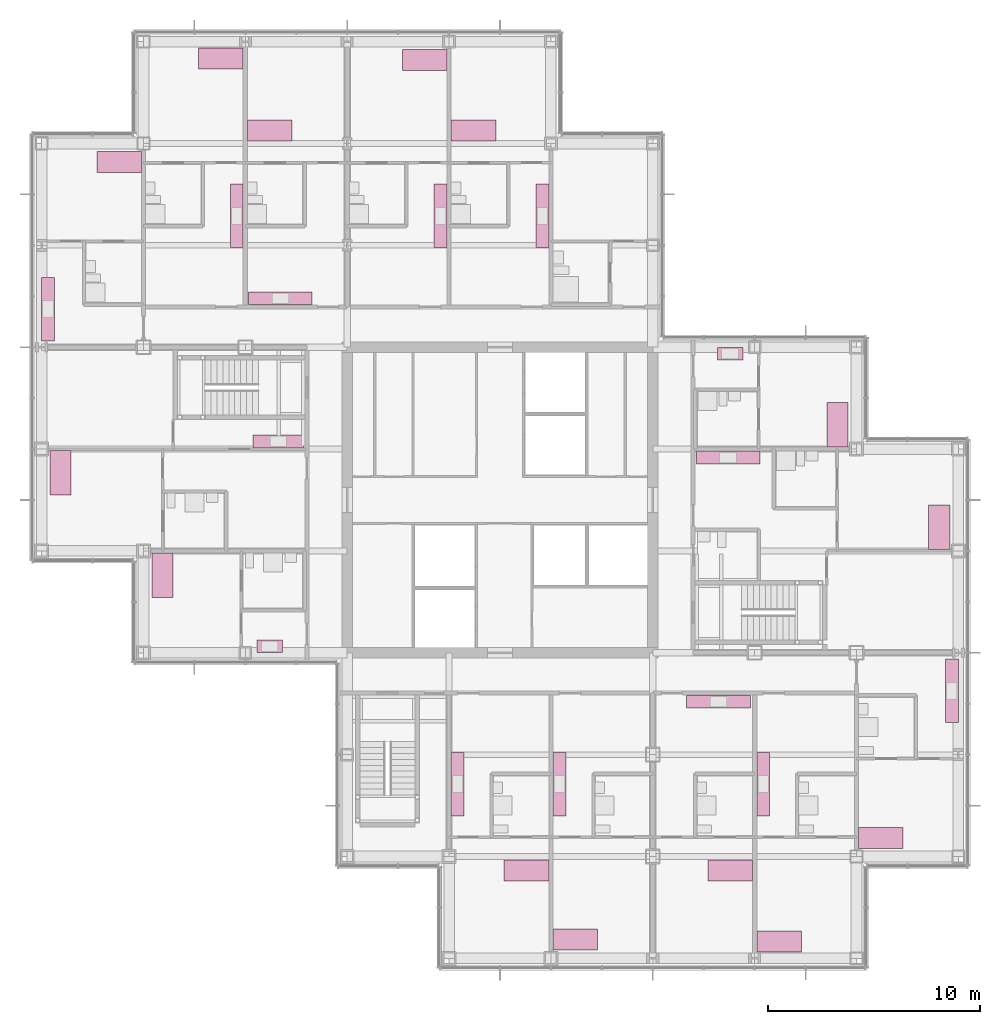
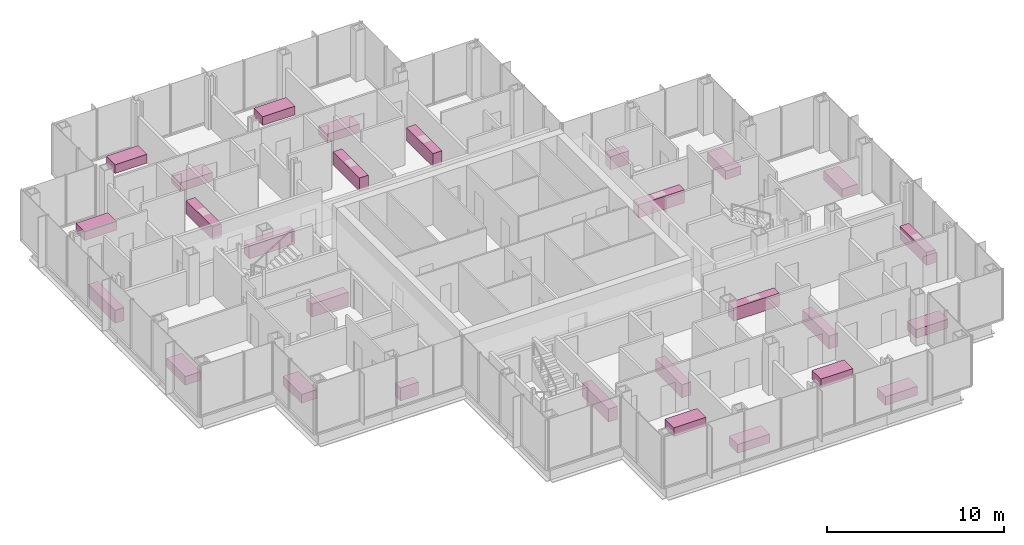
# One storey, part 20 of 20: 28 furniture elements.
"""IFC4 building model written with IfcOpenShell, lengths in metres."""

from ifc_helpers import new_model, si_unit, direction, frame, origin, origin_2d, place, context, subcontext, project, spatial, rectangle, extrude, material, type_object, element, save


model = new_model("IFC4")

# Units and contexts
model_context = context("Model", 3, precision=1e-05, world=origin(), true_north=direction((0.0, 1.0)))
body_context = subcontext(model_context, "Body", "Model", "MODEL_VIEW")
ifc_project = project(units=[si_unit("LENGTHUNIT", "METRE"), si_unit("AREAUNIT", "SQUARE_METRE"), si_unit("VOLUMEUNIT", "CUBIC_METRE"), si_unit("PLANEANGLEUNIT", "RADIAN"), si_unit("MASSUNIT", "GRAM", prefix="KILO")], contexts=[model_context])

# Site, building, storey
site_placement = place(None, origin())
site = spatial("IfcSite", under=ifc_project, at=site_placement, CompositionType="ELEMENT")
building_placement = place(site_placement, origin())
building = spatial("IfcBuilding", under=site, at=building_placement, Name="Kvirike Care Tower", CompositionType="ELEMENT")
storey_placement = place(building_placement, frame((0.0, 0.0, 91.0)))
storey = spatial("IfcBuildingStorey", under=building, at=storey_placement, Name="L24", CompositionType="ELEMENT", Elevation=91.0)

# Furniture
ifc_material_1 = material(Name="Steel frame", Category="steel")
furniture_type_1 = type_object("IfcFurnitureType", Name="CARE BED 1000 x 2100", AssemblyPlace="FACTORY", PredefinedType="BED", material=ifc_material_1)
for number, where, z_axis, x_axis, name in (
    (1, (0.89501953125, 37.2880859375, 0.0), (0.0, 0.0, 1.0), (1.0, 0.0, 0.0), "Care bed L24-004"),
    (2, (5.695068359375, 32.447998046875, 0.0), (0.0, 0.0, 1.0), (1.0, 0.0, 0.0), "Care bed L24-008"),
    (3, (10.751953125, 53.409912109375, 0.0), (0.0, 0.0, 1.0), (0.0, 1.0, 0.0), "Care bed L24-012"),
    (4, (8.447998046875, 56.802978515625, 0.0), (0.0, 0.0, 1.0), (0.0, -1.0, 0.0), "Care bed L24-015"),
    (5, (3.64794921875, 51.929931640625, 0.0), (0.0, 0.0, 1.0), (0.0, -1.0, 0.0), "Care bed L24-018"),
    (6, (22.847900390625, 18.5400390625, 0.0), (0.0, 0.0, 1.0), (0.0, -1.0, 0.0), "Care bed L24-024"),
    (7, (25.152099609375, 15.294921875, 0.0), (0.0, 0.0, 1.0), (0.0, 1.0, 0.0), "Care bed L24-027"),
    (8, (20.35205078125, 53.409912109375, 0.0), (0.0, 0.0, 1.0), (0.0, 1.0, 0.0), "Care bed L24-034"),
    (9, (18.048095703125, 56.72998046875, 0.0), (0.0, 0.0, 1.0), (0.0, -1.0, 0.0), "Care bed L24-037"),
    (10, (32.447998046875, 18.5400390625, 0.0), (0.0, 0.0, 1.0), (0.0, -1.0, 0.0), "Care bed L24-041"),
    (11, (34.751953125, 15.197021484375, 0.0), (0.0, 0.0, 1.0), (0.0, 1.0, 0.0), "Care bed L24-044"),
    (12, (39.552001953125, 20.070068359375, 0.0), (0.0, 0.0, 1.0), (0.0, 1.0, 0.0), "Care bed L24-047"),
    (13, (42.304931640625, 34.7119140625, 0.0), (0.0, 0.0, 1.0), (-1.0, 0.0, 0.0), "Care bed L24-053"),
    (14, (37.5048828125, 39.552001953125, 0.0), (0.0, 0.0, 1.0), (-1.0, 0.0, 0.0), "Care bed L24-057"),
):
    element("IfcFurniture", number, at=place(storey_placement, frame(where, z_axis=z_axis, x_axis=x_axis)), inside=storey, type_object=furniture_type_1, Name=name, PredefinedType="BED", context=body_context, shape_type="SweptSolid", body=[
        extrude(rectangle(XDim=1.0, YDim=2.10009765625, at=origin_2d()), origin(), (0.0, 0.0, 1.0), 0.60009765625),
    ])
ifc_material_2 = material(Name="Laminated board", Category="wood")
furniture_type_2 = type_object("IfcFurnitureType", Name="KITCHEN UNIT RUN 600", AssemblyPlace="FACTORY", PredefinedType="USERDEFINED", material=ifc_material_2)
furniture_1_placement = place(storey_placement, frame((11.14990234375, 38.761962890625, 0.0), z_axis=(0.0, 0.0, 1.0), x_axis=(-1.0, 0.0, 0.0)))
element("IfcFurniture", 15, at=furniture_1_placement, inside=storey, type_object=furniture_type_2, Name="Kitchen unit run L24-006", ObjectType="KITCHEN UNIT", PredefinedType="USERDEFINED", context=body_context, shape_type="SweptSolid", body=[
    extrude(rectangle(XDim=2.39990234375, YDim=0.60009765625, at=origin_2d()), origin(), (0.0, 0.0, 1.0), 0.89990234375),
])
furniture_2_placement = place(storey_placement, frame((10.75, 29.10205078125, 0.0), z_axis=(0.0, 0.0, 1.0), x_axis=(-1.0, 0.0, 0.0)))
element("IfcFurniture", 16, at=furniture_2_placement, inside=storey, type_object=furniture_type_2, Name="Kitchen unit run L24-010", ObjectType="KITCHEN UNIT", PredefinedType="USERDEFINED", context=body_context, shape_type="SweptSolid", body=[
    extrude(rectangle(XDim=1.199951171875, YDim=0.60009765625, at=origin_2d()), origin(), (0.0, 0.0, 1.0), 0.89990234375),
])
for number, where, z_axis, x_axis, name in (
    (17, (11.25, 45.501953125, 0.0), (0.0, 0.0, 1.0), (-1.0, 0.0, 0.0), "Kitchen unit run L24-014"),
    (18, (9.197998046875, 49.389892578125, 0.0), (0.0, 0.0, 1.0), (0.0, -1.0, 0.0), "Kitchen unit run L24-017"),
    (19, (0.302001953125, 44.9970703125, 0.0), (0.0, 0.0, 1.0), (0.0, 1.0, 0.0), "Kitchen unit run L24-020"),
    (20, (19.60205078125, 22.610107421875, 0.0), (0.0, 0.0, 1.0), (0.0, 1.0, 0.0), "Kitchen unit run L24-026"),
    (21, (24.402099609375, 22.610107421875, 0.0), (0.0, 0.0, 1.0), (0.0, 1.0, 0.0), "Kitchen unit run L24-029"),
    (22, (23.597900390625, 49.389892578125, 0.0), (0.0, 0.0, 1.0), (0.0, -1.0, 0.0), "Kitchen unit run L24-036"),
    (23, (18.798095703125, 49.389892578125, 0.0), (0.0, 0.0, 1.0), (0.0, -1.0, 0.0), "Kitchen unit run L24-039"),
    (24, (31.89990234375, 26.498046875, 0.0), (0.0, 0.0, 1.0), (1.0, 0.0, 0.0), "Kitchen unit run L24-043"),
    (25, (34.001953125, 22.610107421875, 0.0), (0.0, 0.0, 1.0), (0.0, 1.0, 0.0), "Kitchen unit run L24-046"),
    (26, (42.89794921875, 27.0029296875, 0.0), (0.0, 0.0, 1.0), (0.0, -1.0, 0.0), "Kitchen unit run L24-049"),
    (27, (32.35009765625, 37.998046875, 0.0), (0.0, 0.0, 1.0), (1.0, 0.0, 0.0), "Kitchen unit run L24-056"),
):
    element("IfcFurniture", number, at=place(storey_placement, frame(where, z_axis=z_axis, x_axis=x_axis)), inside=storey, type_object=furniture_type_2, Name=name, ObjectType="KITCHEN UNIT", PredefinedType="USERDEFINED", context=body_context, shape_type="SweptSolid", body=[
        extrude(rectangle(XDim=3.0, YDim=0.60009765625, at=origin_2d()), origin(), (0.0, 0.0, 1.0), 0.89990234375),
    ])
furniture_3_placement = place(storey_placement, frame((32.449951171875, 42.89794921875, 0.0), z_axis=(0.0, 0.0, 1.0), x_axis=(1.0, 0.0, 0.0)))
element("IfcFurniture", 28, at=furniture_3_placement, inside=storey, type_object=furniture_type_2, Name="Kitchen unit run L24-059", ObjectType="KITCHEN UNIT", PredefinedType="USERDEFINED", context=body_context, shape_type="SweptSolid", body=[
    extrude(rectangle(XDim=1.199951171875, YDim=0.60009765625, at=origin_2d()), origin(), (0.0, 0.0, 1.0), 0.89990234375),
])

save(model, "model.ifc")
